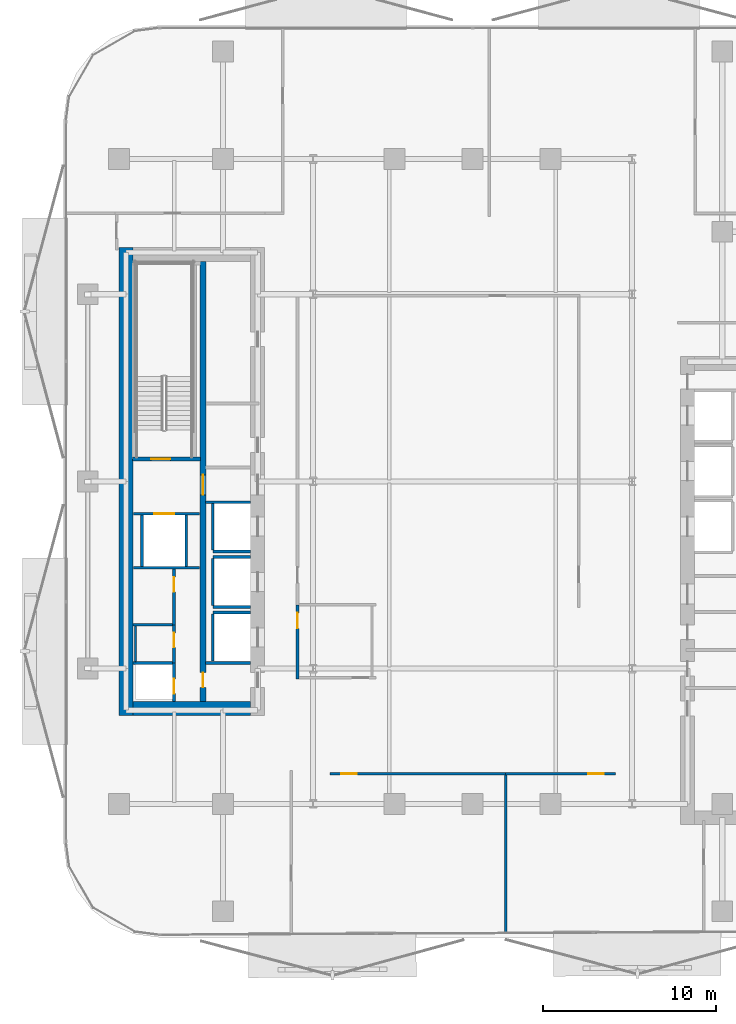
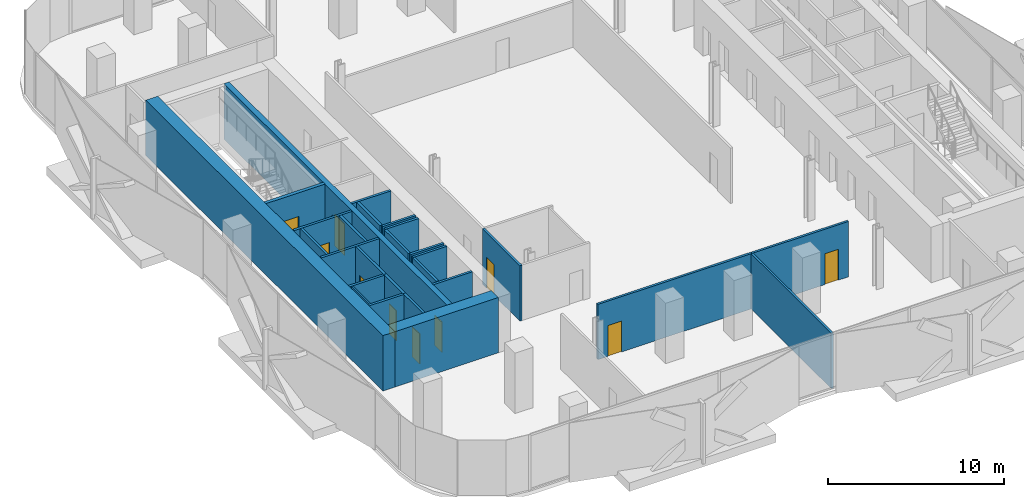
# One storey, part 3 of 15: 27 walls, 10 doors, 10 openings.
"""IFC4 building model written with IfcOpenShell, lengths in metres."""

from ifc_helpers import new_model, si_unit, direction, frame, frame_2d, origin, place, context, subcontext, project, spatial, rectangle, extrude, material, layer, layer_set, type_object, element, fill, save


model = new_model("IFC4")

# Units and contexts
model_context = context("Model", 3, precision=1e-05, world=origin(), true_north=direction((0.0, 1.0)))
body_context = subcontext(model_context, "Body", "Model", "MODEL_VIEW")
ifc_project = project(units=[si_unit("LENGTHUNIT", "METRE"), si_unit("AREAUNIT", "SQUARE_METRE"), si_unit("VOLUMEUNIT", "CUBIC_METRE"), si_unit("PLANEANGLEUNIT", "RADIAN"), si_unit("MASSUNIT", "GRAM", prefix="KILO")], contexts=[model_context])

# Site, building, storey
site_placement = place(None, origin())
site = spatial("IfcSite", under=ifc_project, at=site_placement, CompositionType="ELEMENT")
building_placement = place(site_placement, origin())
building = spatial("IfcBuilding", under=site, at=building_placement, Name="Khairoan Windgate Tower", CompositionType="ELEMENT")
storey_placement = place(building_placement, frame((0.0, 0.0, 147.800048828125)))
storey = spatial("IfcBuildingStorey", under=building, at=storey_placement, Name="L34", CompositionType="ELEMENT", Elevation=147.800048828125)

# Walls
ifc_material_1 = material(Name="Moisture-Resistant Gypsum Partition", Category="gypsum")
ifc_layer_1 = layer(ifc_material_1, 0.10009765625, Name="Moisture-Resistant Gypsum Partition")
ifc_layer_set_1 = layer_set([ifc_layer_1], Name="Moisture-Resistant Gypsum Partition")
wall_type_1 = type_object("IfcWallType", Name="Bathroom Wet-Area Partition Wall", PredefinedType="PARTITIONING", material=ifc_layer_set_1)
wall_1_placement = place(storey_placement, frame((-19.449951171875, -10.389892578125, 0.0), z_axis=(0.0, 0.0, 1.0), x_axis=(0.0, 1.0, 0.0)))
element("IfcWall", 1, at=wall_1_placement, inside=storey, type_object=wall_type_1, Name="L34 Wet Room Side Wall 036", PredefinedType="PARTITIONING", context=body_context, shape_type="SweptSolid", body=[
    extrude(rectangle(XDim=2.039794921875, YDim=0.10009765625, at=frame_2d((1.02001953125, 0.0))), origin(), (0.0, 0.0, 1.0), 3.849853515625),
])
ifc_material_2 = material(Name="Concrete C40/50", Category="concrete")
ifc_layer_2 = layer(ifc_material_2, 0.159912109375, Name="Concrete C40/50")
ifc_layer_set_2 = layer_set([ifc_layer_2], Name="Concrete C40/50")
wall_type_2 = type_object("IfcWallType", Name="Core and Hoistway Enclosure Wall", PredefinedType="STANDARD", material=ifc_layer_set_2)
wall_2_placement = place(storey_placement, frame((-14.989990234375, -4.0400390625, 0.0), z_axis=(0.0, 0.0, 1.0), x_axis=(1.0, 0.0, 0.0)))
element("IfcWall", 2, at=wall_2_placement, inside=storey, type_object=wall_type_2, Name="L34 Lift PL4 Hoistway Divider S", PredefinedType="STANDARD", context=body_context, shape_type="SweptSolid", body=[
    extrude(rectangle(XDim=2.18994140625, YDim=0.159912109375, at=frame_2d((1.094970703125, 0.0))), origin(), (0.0, 0.0, 1.0), 3.849853515625),
])
wall_3_placement = place(storey_placement, frame((-14.989990234375, -3.949951171875, 0.0), z_axis=(0.0, 0.0, 1.0), x_axis=(0.0, 1.0, 0.0)))
element("IfcWall", 3, at=wall_3_placement, inside=storey, type_object=wall_type_2, Name="L34 Lift PL4 Hoistway Back Wall", PredefinedType="STANDARD", context=body_context, shape_type="SweptSolid", body=[
    extrude(rectangle(XDim=2.699951171875, YDim=0.159912109375, at=frame_2d((1.35009765625, 0.0))), origin(), (0.0, 0.0, 1.0), 3.849853515625),
])
for number, where, z_axis, x_axis, name in (
    (4, (-14.989990234375, -7.239990234375, 0.0), (0.0, 0.0, 1.0), (1.0, 0.0, 0.0), "L34 Lift PL5 Hoistway Divider S"),
    (5, (-14.989990234375, -4.360107421875, 0.0), (0.0, 0.0, 1.0), (1.0, 0.0, 0.0), "L34 Lift PL5 Hoistway Divider N"),
):
    element("IfcWall", number, at=place(storey_placement, frame(where, z_axis=z_axis, x_axis=x_axis)), inside=storey, type_object=wall_type_2, Name=name, PredefinedType="STANDARD", context=body_context, shape_type="SweptSolid", body=[
        extrude(rectangle(XDim=2.18994140625, YDim=0.159912109375, at=frame_2d((1.094970703125, 0.0))), origin(), (0.0, 0.0, 1.0), 3.849853515625),
    ])
wall_4_placement = place(storey_placement, frame((-14.989990234375, -7.14990234375, 0.0), z_axis=(0.0, 0.0, 1.0), x_axis=(0.0, 1.0, 0.0)))
element("IfcWall", 6, at=wall_4_placement, inside=storey, type_object=wall_type_2, Name="L34 Lift PL5 Hoistway Back Wall", PredefinedType="STANDARD", context=body_context, shape_type="SweptSolid", body=[
    extrude(rectangle(XDim=2.699951171875, YDim=0.159912109375, at=frame_2d((1.35009765625, 0.0))), origin(), (0.0, 0.0, 1.0), 3.849853515625),
])
wall_5_placement = place(storey_placement, frame((-14.989990234375, -7.56005859375, 0.0), z_axis=(0.0, 0.0, 1.0), x_axis=(1.0, 0.0, 0.0)))
element("IfcWall", 7, at=wall_5_placement, inside=storey, type_object=wall_type_2, Name="L34 Lift PL6 Hoistway Divider N", PredefinedType="STANDARD", context=body_context, shape_type="SweptSolid", body=[
    extrude(rectangle(XDim=2.18994140625, YDim=0.159912109375, at=frame_2d((1.094970703125, 0.0))), origin(), (0.0, 0.0, 1.0), 3.849853515625),
])
wall_6_placement = place(storey_placement, frame((-14.989990234375, -10.35009765625, 0.0), z_axis=(0.0, 0.0, 1.0), x_axis=(0.0, 1.0, 0.0)))
element("IfcWall", 8, at=wall_6_placement, inside=storey, type_object=wall_type_2, Name="L34 Lift PL6 Hoistway Back Wall", PredefinedType="STANDARD", context=body_context, shape_type="SweptSolid", body=[
    extrude(rectangle(XDim=2.7001953125, YDim=0.159912109375, at=frame_2d((1.35009765625, 0.0))), origin(), (0.0, 0.0, 1.0), 3.849853515625),
])

# Wall, opening, door
wall_7_placement = place(storey_placement, frame((-19.550048828125, -1.860107421875, 0.0), z_axis=(0.0, 0.0, 1.0), x_axis=(1.0, 0.0, 0.0)))
wall_7 = element("IfcWall", 9, at=wall_7_placement, inside=storey, type_object=wall_type_2, Name="L34 Core Shaft Wall SW-FL2-L34", PredefinedType="STANDARD", context=body_context, shape_type="SweptSolid", body=[
    extrude(rectangle(XDim=3.800048828125, YDim=0.159912109375, at=frame_2d((1.89990234375, 0.0))), origin(), (0.0, 0.0, 1.0), 3.849853515625),
])
opening_1_placement = place(wall_7_placement, frame((1.179931640625, 0.0, 0.0)))
opening_1 = element("IfcOpeningElement", 10, at=opening_1_placement, cuts=wall_7, Name="Opening LD-FL", PredefinedType="OPENING", context=body_context, shape_type="SweptSolid", body=[
    extrude(rectangle(XDim=1.14990234375, YDim=2.199951171875, at=frame_2d((0.574951171875, 1.10009765625))), frame((0.0, 0.08984375, 0.0), z_axis=(0.0, -1.0, 0.0), x_axis=(1.0, 0.0, 0.0)), (0.0, 0.0, 1.0), 0.179931640625),
])
ifc_material_3 = material(Name="Steel S355", Category="steel")
door_type_1 = type_object("IfcDoorType", Name="Firefighting Lift Sliding Landing Door LD-FL 1150x2200", OperationType="DOUBLE_DOOR_SLIDING", PredefinedType="DOOR", material=ifc_material_3)
door_1_placement = place(opening_1_placement, origin())
door_1 = element("IfcDoor", 11, at=door_1_placement, inside=storey, type_object=door_type_1, Name="L34 Firefighting Lift FL2 Landing Door", OperationType="DOUBLE_DOOR_SLIDING", OverallHeight=2.199951171875, OverallWidth=1.14990234375, PredefinedType="DOOR", context=body_context, shape_type="SweptSolid", body=[
    extrude(rectangle(XDim=1.14990234375, YDim=2.199951171875, at=frame_2d((0.574951171875, 1.10009765625))), frame((0.0, 0.02490234375, 0.0), z_axis=(0.0, -1.0, 0.0), x_axis=(1.0, 0.0, 0.0)), (0.0, 0.0, 1.0), 0.050048828125),
])
fill(opening_1, door_1)

# Walls
wall_8_placement = place(storey_placement, frame((-19.550048828125, -4.97998046875, 0.0), z_axis=(0.0, 0.0, 1.0), x_axis=(1.0, 0.0, 0.0)))
element("IfcWall", 12, at=wall_8_placement, inside=storey, type_object=wall_type_2, Name="L34 Core Shaft Wall SW-FL2B-L34", PredefinedType="STANDARD", context=body_context, shape_type="SweptSolid", body=[
    extrude(rectangle(XDim=3.800048828125, YDim=0.159912109375, at=frame_2d((1.89990234375, 0.0))), origin(), (0.0, 0.0, 1.0), 3.849853515625),
])
for number, where, z_axis, x_axis, name in (
    (13, (-19.080078125, -4.89990234375, 0.0), (0.0, 0.0, 1.0), (0.0, 1.0, 0.0), "L34 Core Shaft Wall SW-FL2W-L34"),
    (14, (-16.52001953125, -4.89990234375, 0.0), (0.0, 0.0, 1.0), (0.0, 1.0, 0.0), "L34 Core Shaft Wall SW-FL2E-L34"),
):
    element("IfcWall", number, at=place(storey_placement, frame(where, z_axis=z_axis, x_axis=x_axis)), inside=storey, type_object=wall_type_2, Name=name, PredefinedType="STANDARD", context=body_context, shape_type="SweptSolid", body=[
        extrude(rectangle(XDim=2.9599609375, YDim=0.159912109375, at=frame_2d((1.47998046875, 0.0))), origin(), (0.0, 0.0, 1.0), 3.849853515625),
    ])
for number, where, z_axis, x_axis, name in (
    (15, (-15.39990234375, -1.199951171875, 0.0), (0.0, 0.0, 1.0), (1.0, 0.0, 0.0), "L34 Core Shaft Wall SW-WV2-L34"),
    (16, (-15.39990234375, -10.47998046875, 0.0), (0.0, 0.0, 1.0), (1.0, 0.0, 0.0), "L34 Core Shaft Wall SW-WSV-L34"),
):
    element("IfcWall", number, at=place(storey_placement, frame(where, z_axis=z_axis, x_axis=x_axis)), inside=storey, type_object=wall_type_2, Name=name, PredefinedType="STANDARD", context=body_context, shape_type="SweptSolid", body=[
        extrude(rectangle(XDim=2.599853515625, YDim=0.159912109375, at=frame_2d((1.2998046875, 0.0))), origin(), (0.0, 0.0, 1.0), 3.849853515625),
    ])
ifc_material_4 = material(Name="Acoustic Fire-Rated Gypsum Partition", Category="gypsum")
ifc_layer_3 = layer(ifc_material_4, 0.139892578125, Name="Acoustic Fire-Rated Gypsum Partition")
ifc_layer_set_3 = layer_set([ifc_layer_3], Name="Acoustic Fire-Rated Gypsum Partition")
wall_type_3 = type_object("IfcWallType", Name="Inter-Tenancy Compartment Wall", PredefinedType="PARTITIONING", material=ifc_layer_set_3)
wall_9_placement = place(storey_placement, frame((1.904052734375, -26.05712890625, 0.0), z_axis=(0.0, 0.0, 1.0), x_axis=(0.0, 1.0, 0.0)))
element("IfcWall", 17, at=wall_9_placement, inside=storey, type_object=wall_type_3, Name="L34 Interior Partition 033", PredefinedType="PARTITIONING", context=body_context, shape_type="SweptSolid", body=[
    extrude(rectangle(XDim=9.1220703125, YDim=0.139892578125, at=frame_2d((4.56103515625, 0.0))), origin(), (0.0, 0.0, 1.0), 3.849853515625),
])

# Wall, opening, door
ifc_material_5 = material(Name="Concrete C40/50", Category="concrete")
ifc_layer_4 = layer(ifc_material_5, 0.159912109375, Name="Concrete C40/50")
ifc_layer_set_4 = layer_set([ifc_layer_4], Name="Concrete C40/50")
wall_type_4 = type_object("IfcWallType", Name="Plant and Refuge Compartment Wall", PredefinedType="PARTITIONING", material=ifc_layer_set_4)
wall_10_placement = place(storey_placement, frame((-17.22998046875, -12.699951171875, 0.0), z_axis=(0.0, 0.0, 1.0), x_axis=(0.0, 1.0, 0.0)))
wall_10 = element("IfcWall", 18, at=wall_10_placement, inside=storey, type_object=wall_type_4, Name="L34 Interior Partition 001", PredefinedType="PARTITIONING", context=body_context, shape_type="SweptSolid", body=[
    extrude(rectangle(XDim=2.22998046875, YDim=0.159912109375, at=frame_2d((1.114990234375, 0.0))), origin(), (0.0, 0.0, 1.0), 3.849853515625),
])
opening_2_placement = place(wall_10_placement, frame((0.4599609375, 0.0, 0.0)))
opening_2 = element("IfcOpeningElement", 19, at=opening_2_placement, cuts=wall_10, Name="Opening FD-SRV", PredefinedType="OPENING", context=body_context, shape_type="SweptSolid", body=[
    extrude(rectangle(XDim=0.85009765625, YDim=2.10009765625, at=frame_2d((0.425048828125, 1.050048828125))), frame((0.0, 0.08984375, 0.0), z_axis=(0.0, -1.0, 0.0), x_axis=(1.0, 0.0, 0.0)), (0.0, 0.0, 1.0), 0.179931640625),
])
ifc_material_6 = material(Name="Steel S355", Category="steel")
door_type_2 = type_object("IfcDoorType", Name="Core Service and Riser Fire Door FD-SRV 850x2100", OperationType="NOTDEFINED", PredefinedType="DOOR", material=ifc_material_6)
door_2_placement = place(opening_2_placement, origin())
door_2 = element("IfcDoor", 20, at=door_2_placement, inside=storey, type_object=door_type_2, Name="L34 L34-04-L34-05 Door", OperationType="SINGLE_SWING_RIGHT", OverallHeight=2.10009765625, OverallWidth=0.85009765625, PredefinedType="DOOR", context=body_context, shape_type="SweptSolid", body=[
    extrude(rectangle(XDim=0.85009765625, YDim=2.10009765625, at=frame_2d((0.425048828125, 1.050048828125))), frame((0.0, 0.02490234375, 0.0), z_axis=(0.0, -1.0, 0.0), x_axis=(1.0, 0.0, 0.0)), (0.0, 0.0, 1.0), 0.050048828125),
])
fill(opening_2, door_2)

wall_11_placement = place(storey_placement, frame((-17.22998046875, -10.469970703125, 0.0), z_axis=(0.0, 0.0, 1.0), x_axis=(0.0, 1.0, 0.0)))
wall_11 = element("IfcWall", 21, at=wall_11_placement, inside=storey, type_object=wall_type_4, Name="L34 Interior Partition 002", PredefinedType="PARTITIONING", context=body_context, shape_type="SweptSolid", body=[
    extrude(rectangle(XDim=2.199951171875, YDim=0.159912109375, at=frame_2d((1.10009765625, 0.0))), origin(), (0.0, 0.0, 1.0), 3.849853515625),
])
opening_3_placement = place(wall_11_placement, frame((0.889892578125, 0.0, 0.0)))
opening_3 = element("IfcOpeningElement", 22, at=opening_3_placement, cuts=wall_11, Name="Opening FD-SRV", PredefinedType="OPENING", context=body_context, shape_type="SweptSolid", body=[
    extrude(rectangle(XDim=0.85009765625, YDim=2.10009765625, at=frame_2d((0.425048828125, 1.050048828125))), frame((0.0, 0.08984375, 0.0), z_axis=(0.0, -1.0, 0.0), x_axis=(1.0, 0.0, 0.0)), (0.0, 0.0, 1.0), 0.179931640625),
])
door_3_placement = place(opening_3_placement, origin())
door_3 = element("IfcDoor", 23, at=door_3_placement, inside=storey, type_object=door_type_2, Name="L34 L34-04-L34-06 Door", OperationType="SINGLE_SWING_LEFT", OverallHeight=2.10009765625, OverallWidth=0.85009765625, PredefinedType="DOOR", context=body_context, shape_type="SweptSolid", body=[
    extrude(rectangle(XDim=0.85009765625, YDim=2.10009765625, at=frame_2d((0.425048828125, 1.050048828125))), frame((0.0, 0.02490234375, 0.0), z_axis=(0.0, -1.0, 0.0), x_axis=(1.0, 0.0, 0.0)), (0.0, 0.0, 1.0), 0.050048828125),
])
fill(opening_3, door_3)

wall_12_placement = place(storey_placement, frame((-17.22998046875, -8.27001953125, 0.0), z_axis=(0.0, 0.0, 1.0), x_axis=(0.0, 1.0, 0.0)))
wall_12 = element("IfcWall", 24, at=wall_12_placement, inside=storey, type_object=wall_type_4, Name="L34 Interior Partition 003", PredefinedType="PARTITIONING", context=body_context, shape_type="SweptSolid", body=[
    extrude(rectangle(XDim=3.2099609375, YDim=0.159912109375, at=frame_2d((1.60498046875, 0.0))), origin(), (0.0, 0.0, 1.0), 3.849853515625),
])
opening_4_placement = place(wall_12_placement, frame((1.89990234375, 0.0, 0.0)))
opening_4 = element("IfcOpeningElement", 25, at=opening_4_placement, cuts=wall_12, Name="Opening FD-SRV", PredefinedType="OPENING", context=body_context, shape_type="SweptSolid", body=[
    extrude(rectangle(XDim=0.85009765625, YDim=2.10009765625, at=frame_2d((0.425048828125, 1.050048828125))), frame((0.0, 0.08984375, 0.0), z_axis=(0.0, -1.0, 0.0), x_axis=(1.0, 0.0, 0.0)), (0.0, 0.0, 1.0), 0.179931640625),
])
door_4_placement = place(opening_4_placement, origin())
door_4 = element("IfcDoor", 26, at=door_4_placement, inside=storey, type_object=door_type_2, Name="L34 L34-04-L34-07 Door", OperationType="SINGLE_SWING_RIGHT", OverallHeight=2.10009765625, OverallWidth=0.85009765625, PredefinedType="DOOR", context=body_context, shape_type="SweptSolid", body=[
    extrude(rectangle(XDim=0.85009765625, YDim=2.10009765625, at=frame_2d((0.425048828125, 1.050048828125))), frame((0.0, 0.02490234375, 0.0), z_axis=(0.0, -1.0, 0.0), x_axis=(1.0, 0.0, 0.0)), (0.0, 0.0, 1.0), 0.050048828125),
])
fill(opening_4, door_4)

# Walls
for number, where, z_axis, x_axis, name in (
    (27, (-19.60009765625, -10.469970703125, 0.0), (0.0, 0.0, 1.0), (1.0, 0.0, 0.0), "L34 Interior Partition 004"),
    (28, (-19.60009765625, -8.27001953125, 0.0), (0.0, 0.0, 1.0), (1.0, 0.0, 0.0), "L34 Interior Partition 005"),
):
    element("IfcWall", number, at=place(storey_placement, frame(where, z_axis=z_axis, x_axis=x_axis)), inside=storey, type_object=wall_type_4, Name=name, PredefinedType="PARTITIONING", context=body_context, shape_type="SweptSolid", body=[
        extrude(rectangle(XDim=2.2900390625, YDim=0.159912109375, at=frame_2d((1.14501953125, 0.0))), origin(), (0.0, 0.0, 1.0), 3.849853515625),
    ])

# Wall, opening, door
ifc_material_7 = material(Name="Acoustic Fire-Rated Gypsum Partition", Category="gypsum")
ifc_layer_5 = layer(ifc_material_7, 0.14990234375, Name="Acoustic Fire-Rated Gypsum Partition")
ifc_layer_set_5 = layer_set([ifc_layer_5], Name="Acoustic Fire-Rated Gypsum Partition")
wall_type_5 = type_object("IfcWallType", Name="Rated Corridor Partition Wall", PredefinedType="PARTITIONING", material=ifc_layer_set_5)
wall_13_placement = place(storey_placement, frame((-10.10009765625, -11.39501953125, 0.0), z_axis=(0.0, 0.0, 1.0), x_axis=(0.0, 1.0, 0.0)))
wall_13 = element("IfcWall", 29, at=wall_13_placement, inside=storey, type_object=wall_type_5, Name="L34 Interior Partition 015", PredefinedType="PARTITIONING", context=body_context, shape_type="SweptSolid", body=[
    extrude(rectangle(XDim=4.27490234375, YDim=0.14990234375, at=frame_2d((2.137451171875, 0.0))), origin(), (0.0, 0.0, 1.0), 3.849853515625),
])
opening_5_placement = place(wall_13_placement, frame((2.9150390625, 0.0, 0.0)))
opening_5 = element("IfcOpeningElement", 30, at=opening_5_placement, cuts=wall_13, Name="Opening FD-ENT", PredefinedType="OPENING", context=body_context, shape_type="SweptSolid", body=[
    extrude(rectangle(XDim=0.89990234375, YDim=2.14990234375, at=frame_2d((0.449951171875, 1.074951171875))), frame((0.0, 0.0849609375, 0.0), z_axis=(0.0, -1.0, 0.0), x_axis=(1.0, 0.0, 0.0)), (0.0, 0.0, 1.0), 0.169921875),
])
ifc_material_8 = material(Name="Timber Fire-Rated Core", Category="wood")
door_type_3 = type_object("IfcDoorType", Name="Unit and Office Fire Entrance Door FD-ENT 900x2150", OperationType="NOTDEFINED", PredefinedType="DOOR", material=ifc_material_8)
door_5_placement = place(opening_5_placement, origin())
door_5 = element("IfcDoor", 31, at=door_5_placement, inside=storey, type_object=door_type_3, Name="L34 L34-30-L34-50 Door", OperationType="SINGLE_SWING_LEFT", OverallHeight=2.14990234375, OverallWidth=0.89990234375, PredefinedType="DOOR", context=body_context, shape_type="SweptSolid", body=[
    extrude(rectangle(XDim=0.89990234375, YDim=2.14990234375, at=frame_2d((0.449951171875, 1.074951171875))), frame((0.0, 0.02490234375, 0.0), z_axis=(0.0, -1.0, 0.0), x_axis=(1.0, 0.0, 0.0)), (0.0, 0.0, 1.0), 0.050048828125),
])
fill(opening_5, door_5)

wall_14_placement = place(storey_placement, frame((-8.239990234375, -16.860107421875, 0.0), z_axis=(0.0, 0.0, 1.0), x_axis=(1.0, 0.0, 0.0)))
wall_14 = element("IfcWall", 32, at=wall_14_placement, inside=storey, type_object=wall_type_5, Name="L34 Interior Partition 024", PredefinedType="PARTITIONING", context=body_context, shape_type="SweptSolid", body=[
    extrude(rectangle(XDim=10.14404296875, YDim=0.14990234375, at=frame_2d((5.072021484375, 0.0))), origin(), (0.0, 0.0, 1.0), 3.849853515625),
])
opening_6_placement = place(wall_14_placement, frame((0.6630859375, 0.0, 0.0)))
opening_6 = element("IfcOpeningElement", 33, at=opening_6_placement, cuts=wall_14, Name="Opening FD-ENT", PredefinedType="OPENING", context=body_context, shape_type="SweptSolid", body=[
    extrude(rectangle(XDim=0.89990234375, YDim=2.14990234375, at=frame_2d((0.449951171875, 1.074951171875))), frame((0.0, 0.0849609375, 0.0), z_axis=(0.0, -1.0, 0.0), x_axis=(1.0, 0.0, 0.0)), (0.0, 0.0, 1.0), 0.169921875),
])
door_6_placement = place(opening_6_placement, origin())
door_6 = element("IfcDoor", 34, at=door_6_placement, inside=storey, type_object=door_type_3, Name="L34 L34-37-L34-47 Door", OperationType="SINGLE_SWING_RIGHT", OverallHeight=2.14990234375, OverallWidth=0.89990234375, PredefinedType="DOOR", context=body_context, shape_type="SweptSolid", body=[
    extrude(rectangle(XDim=0.89990234375, YDim=2.14990234375, at=frame_2d((0.449951171875, 1.074951171875))), frame((0.0, 0.02490234375, 0.0), z_axis=(0.0, -1.0, 0.0), x_axis=(1.0, 0.0, 0.0)), (0.0, 0.0, 1.0), 0.050048828125),
])
fill(opening_6, door_6)

wall_15_placement = place(storey_placement, frame((1.904052734375, -16.860107421875, 0.0), z_axis=(0.0, 0.0, 1.0), x_axis=(1.0, 0.0, 0.0)))
wall_15 = element("IfcWall", 35, at=wall_15_placement, inside=storey, type_object=wall_type_5, Name="L34 Interior Partition 025", PredefinedType="PARTITIONING", context=body_context, shape_type="SweptSolid", body=[
    extrude(rectangle(XDim=6.3359375, YDim=0.14990234375, at=frame_2d((3.16796875, 0.0))), origin(), (0.0, 0.0, 1.0), 3.849853515625),
])
opening_7_placement = place(wall_15_placement, frame((4.770751953125, 0.0, 0.0)))
opening_7 = element("IfcOpeningElement", 36, at=opening_7_placement, cuts=wall_15, Name="Opening FD-ENT", PredefinedType="OPENING", context=body_context, shape_type="SweptSolid", body=[
    extrude(rectangle(XDim=0.89990234375, YDim=2.14990234375, at=frame_2d((0.449951171875, 1.074951171875))), frame((0.0, 0.0849609375, 0.0), z_axis=(0.0, -1.0, 0.0), x_axis=(1.0, 0.0, 0.0)), (0.0, 0.0, 1.0), 0.169921875),
])
door_7_placement = place(opening_7_placement, origin())
door_7 = element("IfcDoor", 37, at=door_7_placement, inside=storey, type_object=door_type_3, Name="L34 L34-37-L34-48 Door", OperationType="SINGLE_SWING_LEFT", OverallHeight=2.14990234375, OverallWidth=0.89990234375, PredefinedType="DOOR", context=body_context, shape_type="SweptSolid", body=[
    extrude(rectangle(XDim=0.89990234375, YDim=2.14990234375, at=frame_2d((0.449951171875, 1.074951171875))), frame((0.0, 0.02490234375, 0.0), z_axis=(0.0, -1.0, 0.0), x_axis=(1.0, 0.0, 0.0)), (0.0, 0.0, 1.0), 0.050048828125),
])
fill(opening_7, door_7)

# Walls
ifc_material_9 = material(Name="Concrete C70/85", Category="concrete")
ifc_layer_6 = layer(ifc_material_9, 0.800048828125, Name="Concrete C70/85")
ifc_layer_set_6 = layer_set([ifc_layer_6], Name="Concrete C70/85")
wall_type_6 = type_object("IfcWallType", Name="Shear Wall CW-W1 800mm", PredefinedType="SHEAR", material=ifc_layer_set_6)
wall_16_placement = place(storey_placement, frame((-20.0, -13.5, 0.0), z_axis=(0.0, 0.0, 1.0), x_axis=(0.0, 1.0, 0.0)))
element("IfcWall", 38, at=wall_16_placement, inside=storey, type_object=wall_type_6, Name="W Core West Shear Wall L34", PredefinedType="SHEAR", context=body_context, shape_type="SweptSolid", body=[
    extrude(rectangle(XDim=27.0, YDim=0.800048828125, at=frame_2d((13.5, 0.0))), origin(), (0.0, 0.0, 1.0), 3.849853515625),
])
wall_17_placement = place(storey_placement, frame((-19.60009765625, -13.10009765625, 0.0), z_axis=(0.0, 0.0, 1.0), x_axis=(1.0, 0.0, 0.0)))
element("IfcWall", 39, at=wall_17_placement, inside=storey, type_object=wall_type_6, Name="W Core South Shear Wall L34", PredefinedType="SHEAR", context=body_context, shape_type="SweptSolid", body=[
    extrude(rectangle(XDim=6.800048828125, YDim=0.800048828125, at=frame_2d((3.39990234375, 0.0))), origin(), (0.0, 0.0, 1.0), 3.849853515625),
])

# Wall, openings, doors
ifc_material_10 = material(Name="Concrete C60/75", Category="concrete")
ifc_layer_7 = layer(ifc_material_10, 0.35009765625, Name="Concrete C60/75")
ifc_layer_set_7 = layer_set([ifc_layer_7], Name="Concrete C60/75")
wall_type_7 = type_object("IfcWallType", Name="Shear Wall SW-1 350mm", PredefinedType="SHEAR", material=ifc_layer_set_7)
wall_18_placement = place(storey_placement, frame((-15.550048828125, -12.699951171875, 0.0), z_axis=(0.0, 0.0, 1.0), x_axis=(0.0, 1.0, 0.0)))
wall_18 = element("IfcWall", 40, at=wall_18_placement, inside=storey, type_object=wall_type_7, Name="W Core Spine Shear Wall L34", PredefinedType="SHEAR", context=body_context, shape_type="SweptSolid", body=[
    extrude(rectangle(XDim=25.39990234375, YDim=0.35009765625, at=frame_2d((12.699951171875, 0.0))), origin(), (0.0, 0.0, 1.0), 3.849853515625),
])
opening_8_placement = place(wall_18_placement, frame((11.925048828125, 0.0, 0.0)))
opening_8 = element("IfcOpeningElement", 41, at=opening_8_placement, cuts=wall_18, Name="Opening FD-FFL", PredefinedType="OPENING", context=body_context, shape_type="SweptSolid", body=[
    extrude(rectangle(XDim=1.14990234375, YDim=2.199951171875, at=frame_2d((0.574951171875, 1.10009765625))), frame((0.0, 0.18505859375, 0.0), z_axis=(0.0, -1.0, 0.0), x_axis=(1.0, 0.0, 0.0)), (0.0, 0.0, 1.0), 0.3701171875),
])
opening_9_placement = place(wall_18_placement, frame((0.824951171875, 0.0, 0.0)))
opening_9 = element("IfcOpeningElement", 42, at=opening_9_placement, cuts=wall_18, Name="Opening FD-SRV", PredefinedType="OPENING", context=body_context, shape_type="SweptSolid", body=[
    extrude(rectangle(XDim=0.85009765625, YDim=2.10009765625, at=frame_2d((0.425048828125, 1.050048828125))), frame((0.0, 0.18505859375, 0.0), z_axis=(0.0, -1.0, 0.0), x_axis=(1.0, 0.0, 0.0)), (0.0, 0.0, 1.0), 0.3701171875),
])
door_8_placement = place(opening_9_placement, origin())
door_8 = element("IfcDoor", 43, at=door_8_placement, inside=storey, type_object=door_type_2, Name="L34 West Core Service Passage Inner Door", OperationType="SINGLE_SWING_LEFT", OverallHeight=2.10009765625, OverallWidth=0.85009765625, PredefinedType="DOOR", context=body_context, shape_type="SweptSolid", body=[
    extrude(rectangle(XDim=0.85009765625, YDim=2.10009765625, at=frame_2d((0.425048828125, 1.050048828125))), frame((0.0, 0.02490234375, 0.0), z_axis=(0.0, -1.0, 0.0), x_axis=(1.0, 0.0, 0.0)), (0.0, 0.0, 1.0), 0.050048828125),
])
fill(opening_9, door_8)
ifc_material_11 = material(Name="Steel S355", Category="steel")
door_type_4 = type_object("IfcDoorType", Name="Firefighting Lobby Fire Door FD-FFL 1150x2200", OperationType="NOTDEFINED", PredefinedType="DOOR", material=ifc_material_11)
door_9_placement = place(opening_8_placement, origin())
door_9 = element("IfcDoor", 44, at=door_9_placement, inside=storey, type_object=door_type_4, Name="L34 West Firefighting Lobby Fire Door", OperationType="SINGLE_SWING_LEFT", OverallHeight=2.199951171875, OverallWidth=1.14990234375, PredefinedType="DOOR", context=body_context, shape_type="SweptSolid", body=[
    extrude(rectangle(XDim=1.14990234375, YDim=2.199951171875, at=frame_2d((0.574951171875, 1.10009765625))), frame((0.0, 0.02490234375, 0.0), z_axis=(0.0, -1.0, 0.0), x_axis=(1.0, 0.0, 0.0)), (0.0, 0.0, 1.0), 0.050048828125),
])
fill(opening_8, door_9)

# Wall, opening, door
ifc_material_12 = material(Name="Concrete C50/60", Category="concrete")
ifc_layer_8 = layer(ifc_material_12, 0.219970703125, Name="Concrete C50/60")
ifc_layer_set_8 = layer_set([ifc_layer_8], Name="Concrete C50/60")
wall_type_8 = type_object("IfcWallType", Name="Shear Wall SW-ST 220mm", PredefinedType="SHEAR", material=ifc_layer_set_8)
wall_19_placement = place(storey_placement, frame((-19.6201171875, 1.2900390625, 0.0), z_axis=(0.0, 0.0, 1.0), x_axis=(1.0, 0.0, 0.0)))
wall_19 = element("IfcWall", 45, at=wall_19_placement, inside=storey, type_object=wall_type_8, Name="L34 Stair ST2 South Bearing Wall", PredefinedType="SHEAR", context=body_context, shape_type="SweptSolid", body=[
    extrude(rectangle(XDim=3.9150390625, YDim=0.219970703125, at=frame_2d((1.95751953125, 0.0))), origin(), (0.0, 0.0, 1.0), 3.849853515625),
])
opening_10_placement = place(wall_19_placement, frame((1.080078125, 0.0, 0.0)))
opening_10 = element("IfcOpeningElement", 46, at=opening_10_placement, cuts=wall_19, Name="Opening FD-ST", PredefinedType="OPENING", context=body_context, shape_type="SweptSolid", body=[
    extrude(rectangle(XDim=1.10009765625, YDim=2.199951171875, at=frame_2d((0.550048828125, 1.10009765625))), frame((0.0, 0.119873046875, 0.0), z_axis=(0.0, -1.0, 0.0), x_axis=(1.0, 0.0, 0.0)), (0.0, 0.0, 1.0), 0.239990234375),
])
ifc_material_13 = material(Name="Steel S355", Category="steel")
door_type_5 = type_object("IfcDoorType", Name="Smokeproof Stair Fire Door FD-ST 1100x2200", OperationType="NOTDEFINED", PredefinedType="DOOR", material=ifc_material_13)
door_10_placement = place(opening_10_placement, origin())
door_10 = element("IfcDoor", 47, at=door_10_placement, inside=storey, type_object=door_type_5, Name="L34 Stair ST2 Fire Door", OperationType="SINGLE_SWING_RIGHT", OverallHeight=2.199951171875, OverallWidth=1.10009765625, PredefinedType="DOOR", context=body_context, shape_type="SweptSolid", body=[
    extrude(rectangle(XDim=1.10009765625, YDim=2.199951171875, at=frame_2d((0.550048828125, 1.10009765625))), frame((0.0, 0.02490234375, 0.0), z_axis=(0.0, -1.0, 0.0), x_axis=(1.0, 0.0, 0.0)), (0.0, 0.0, 1.0), 0.050048828125),
])
fill(opening_10, door_10)

save(model, "model.ifc")
